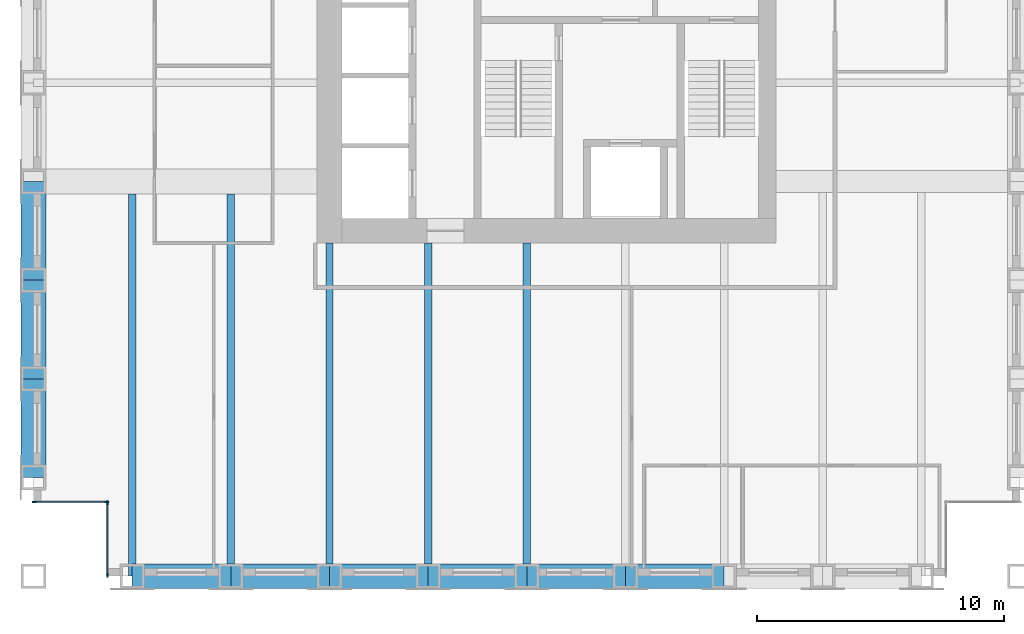
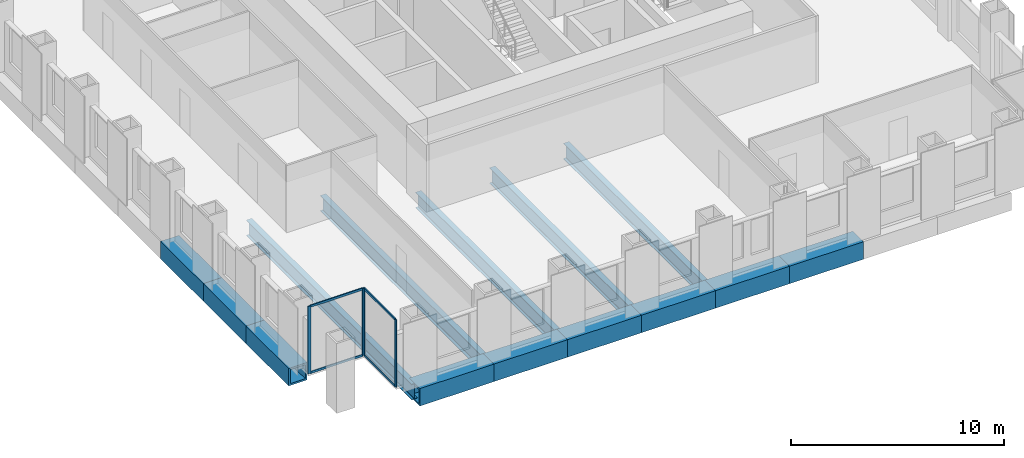
# One storey, part 2 of 11: 14 beams, 8 members, 2 elements without a shape of their own.
"""IFC4 building model written with IfcOpenShell, lengths in metres."""

from ifc_helpers import new_model, si_unit, direction, frame, origin, origin_2d, place, context, subcontext, project, spatial, rectangle, hollow_rectangle, i_section, extrude, material, material_profile, profile_set, type_object, element, aggregate, save


model = new_model("IFC4")

# Units and contexts
model_context = context("Model", 3, precision=1e-05, world=origin(), true_north=direction((0.0, 1.0)))
body_context = subcontext(model_context, "Body", "Model", "MODEL_VIEW")
ifc_project = project(units=[si_unit("LENGTHUNIT", "METRE"), si_unit("AREAUNIT", "SQUARE_METRE"), si_unit("VOLUMEUNIT", "CUBIC_METRE"), si_unit("PLANEANGLEUNIT", "RADIAN"), si_unit("MASSUNIT", "GRAM", prefix="KILO")], contexts=[model_context])

# Site, building, storey
site_placement = place(None, origin())
site = spatial("IfcSite", under=ifc_project, at=site_placement, CompositionType="ELEMENT")
building_placement = place(site_placement, origin())
building = spatial("IfcBuilding", under=site, at=building_placement, Name="Rimbunsela Tower", CompositionType="ELEMENT")
storey_placement = place(building_placement, frame((0.0, 0.0, 282.199951171875)))
storey = spatial("IfcBuildingStorey", under=building, at=storey_placement, Name="L68", CompositionType="ELEMENT", Elevation=282.199951171875)

# Beams
ifc_material_1 = material(Name="Steel BJ 55 (fy 410 MPa)", Category="steel")
ifc_material_profile_1 = material_profile(ifc_material_1, hollow_rectangle(XDim=1.0, YDim=1.0, WallThickness=0.10009765625, at=origin_2d()), Name="BOX 1000x1000x100")
ifc_profile_set_1 = profile_set([ifc_material_profile_1], Name="Steel BJ 55 (fy 410 MPa)")
beam_type_1 = type_object("IfcBeamType", Name="Beam BOX 1000x1000x100", PredefinedType="BEAM", material=ifc_profile_set_1)
for number, where, z_axis, x_axis, name in (
    (1, (6.0, 8.0, -0.64990234375), (0.0, 1.0, 0.0), (-1.0, 0.0, 0.0), "Beam B3 L68"),
    (2, (6.0, 12.0, -0.64990234375), (0.0, 1.0, 0.0), (-1.0, 0.0, 0.0), "Beam B3 L68"),
    (3, (6.0, 16.0, -0.64990234375), (0.0, 1.0, 0.0), (-1.0, 0.0, 0.0), "Beam B3 L68"),
    (4, (10.0, 4.0, -0.64990234375), (1.0, 0.0, 0.0), (0.0, 1.0, 0.0), "Beam B3 L68"),
    (5, (14.0, 4.0, -0.64990234375), (1.0, 0.0, 0.0), (0.0, 1.0, 0.0), "Beam B3 L68"),
    (6, (18.0, 4.0, -0.64990234375), (1.0, 0.0, 0.0), (0.0, 1.0, 0.0), "Beam B3 L68"),
    (7, (22.0, 4.0, -0.64990234375), (1.0, 0.0, 0.0), (0.0, 1.0, 0.0), "Beam B3 L68"),
    (8, (26.0, 4.0, -0.64990234375), (1.0, 0.0, 0.0), (0.0, 1.0, 0.0), "Beam B3 L68"),
    (9, (30.0, 4.0, -0.64990234375), (1.0, 0.0, 0.0), (0.0, 1.0, 0.0), "Beam B3 L68"),
):
    element("IfcBeam", number, at=place(storey_placement, frame(where, z_axis=z_axis, x_axis=x_axis)), inside=storey, type_object=beam_type_1, Name=name, PredefinedType="BEAM", context=body_context, shape_type="SweptSolid", body=[
        extrude(hollow_rectangle(XDim=1.0, YDim=1.0, WallThickness=0.10009765625, at=origin_2d()), origin(), (0.0, 0.0, 1.0), 4.0),
    ])
ifc_material_2 = material(Name="Steel BJ 55 (fy 410 MPa)", Category="steel")
ifc_material_profile_2 = material_profile(ifc_material_2, i_section(OverallWidth=0.300048828125, OverallDepth=0.89990234375, WebThickness=0.01611328125, FlangeThickness=0.028076171875, FilletRadius=0.028076171875, at=origin_2d()), Name="H 900x300x16x28")
ifc_profile_set_2 = profile_set([ifc_material_profile_2], Name="Steel BJ 55 (fy 410 MPa)")
beam_type_2 = type_object("IfcBeamType", Name="Beam H 900x300x16x28", PredefinedType="BEAM", material=ifc_profile_set_2)
for number, where, z_axis, x_axis, name in (
    (10, (10.0, 4.0, -0.599853515625), (0.0, 1.0, 0.0), (-1.0, 0.0, 0.0), "Beam B2 L68"),
    (11, (14.0, 4.0, -0.599853515625), (0.0, 1.0, 0.0), (-1.0, 0.0, 0.0), "Beam B2 L68"),
):
    element("IfcBeam", number, at=place(storey_placement, frame(where, z_axis=z_axis, x_axis=x_axis)), inside=storey, type_object=beam_type_2, Name=name, PredefinedType="BEAM", context=body_context, shape_type="SweptSolid", body=[
        extrude(i_section(OverallWidth=0.300048828125, OverallDepth=0.89990234375, WebThickness=0.01611328125, FlangeThickness=0.028076171875, FilletRadius=0.028076171875, at=origin_2d()), origin(), (0.0, 0.0, 1.0), 15.5),
    ])
for number, where, z_axis, x_axis, name in (
    (12, (18.0, 4.0, -0.599853515625), (0.0, 1.0, 0.0), (-1.0, 0.0, 0.0), "Beam B2 L68"),
    (13, (22.0, 4.0, -0.599853515625), (0.0, 1.0, 0.0), (-1.0, 0.0, 0.0), "Beam B2 L68"),
    (14, (26.0, 4.0, -0.599853515625), (0.0, 1.0, 0.0), (-1.0, 0.0, 0.0), "Beam B2 L68"),
):
    element("IfcBeam", number, at=place(storey_placement, frame(where, z_axis=z_axis, x_axis=x_axis)), inside=storey, type_object=beam_type_2, Name=name, PredefinedType="BEAM", context=body_context, shape_type="SweptSolid", body=[
        extrude(i_section(OverallWidth=0.300048828125, OverallDepth=0.89990234375, WebThickness=0.01611328125, FlangeThickness=0.028076171875, FilletRadius=0.028076171875, at=origin_2d()), origin(), (0.0, 0.0, 1.0), 13.5),
    ])

# Curtain wall, members
ifc_material_3 = material(Name="Aluminium curtain wall", Category="aluminium")
curtain_wall_type = type_object("IfcCurtainWallType", Name="Corner glazing", PredefinedType="USERDEFINED", material=ifc_material_3)
curtain_wall_1_placement = place(storey_placement, origin())
curtain_wall_1 = element("IfcCurtainWall", 15, at=curtain_wall_1_placement, inside=storey, type_object=curtain_wall_type, Name="Corner glazing L68", ObjectType="CORNER GLAZING", PredefinedType="USERDEFINED")
ifc_material_4 = material(Name="Aluminium mullion", Category="aluminium")
ifc_material_profile_3 = material_profile(ifc_material_4, rectangle(XDim=0.06005859375, YDim=0.159912109375, at=origin_2d()), Name="Mullion 60x160")
ifc_profile_set_3 = profile_set([ifc_material_profile_3], Name="Aluminium mullion")
member_type_1 = type_object("IfcMemberType", Name="Curtain wall mullion 60x160", PredefinedType="MULLION", material=ifc_profile_set_3)
member_1_placement = place(storey_placement, frame((6.030029296875, 7.0, 0.0), z_axis=(0.0, 0.0, 1.0), x_axis=(0.0, 1.0, 0.0)))
member_1 = element("IfcMember", 16, at=member_1_placement, type_object=member_type_1, Name="CW5 mullion 1", PredefinedType="MULLION", context=body_context, shape_type="SweptSolid", body=[
    extrude(rectangle(XDim=0.06005859375, YDim=0.159912109375, at=origin_2d()), origin(), (0.0, 0.0, 1.0), 3.85009765625),
])
member_2_placement = place(storey_placement, frame((8.969970703125, 7.0, 0.0), z_axis=(0.0, 0.0, 1.0), x_axis=(0.0, 1.0, 0.0)))
member_2 = element("IfcMember", 17, at=member_2_placement, type_object=member_type_1, Name="CW5 mullion 2", PredefinedType="MULLION", context=body_context, shape_type="SweptSolid", body=[
    extrude(rectangle(XDim=0.06005859375, YDim=0.159912109375, at=origin_2d()), origin(), (0.0, 0.0, 1.0), 3.85009765625),
])

curtain_wall_2_placement = place(storey_placement, origin())
curtain_wall_2 = element("IfcCurtainWall", 18, at=curtain_wall_2_placement, inside=storey, type_object=curtain_wall_type, Name="Corner glazing L68", ObjectType="CORNER GLAZING", PredefinedType="USERDEFINED")
member_3_placement = place(storey_placement, frame((9.0, 6.969970703125, 0.0), z_axis=(0.0, 0.0, 1.0), x_axis=(1.0, 0.0, 0.0)))
member_3 = element("IfcMember", 19, at=member_3_placement, type_object=member_type_1, Name="CW5 mullion 1", PredefinedType="MULLION", context=body_context, shape_type="SweptSolid", body=[
    extrude(rectangle(XDim=0.06005859375, YDim=0.159912109375, at=origin_2d()), origin(), (0.0, 0.0, 1.0), 3.85009765625),
])
member_4_placement = place(storey_placement, frame((9.0, 4.030029296875, 0.0), z_axis=(0.0, 0.0, 1.0), x_axis=(1.0, 0.0, 0.0)))
member_4 = element("IfcMember", 20, at=member_4_placement, type_object=member_type_1, Name="CW5 mullion 2", PredefinedType="MULLION", context=body_context, shape_type="SweptSolid", body=[
    extrude(rectangle(XDim=0.06005859375, YDim=0.159912109375, at=origin_2d()), origin(), (0.0, 0.0, 1.0), 3.85009765625),
])

# Member
ifc_material_5 = material(Name="Aluminium transom", Category="aluminium")
ifc_material_profile_4 = material_profile(ifc_material_5, rectangle(XDim=0.06005859375, YDim=0.1201171875, at=origin_2d()), Name="Transom 60x120")
ifc_profile_set_4 = profile_set([ifc_material_profile_4], Name="Aluminium transom")
member_type_2 = type_object("IfcMemberType", Name="Curtain wall transom 60x120", PredefinedType="USERDEFINED", material=ifc_profile_set_4)
member_5_placement = place(storey_placement, frame((6.06005859375, 7.0, 0.030029296875), z_axis=(1.0, 0.0, 0.0), x_axis=(0.0, 1.0, 0.0)))
member_5 = element("IfcMember", 21, at=member_5_placement, type_object=member_type_2, Name="CW5 transom 1.1", ObjectType="TRANSOM", PredefinedType="USERDEFINED", context=body_context, shape_type="SweptSolid", body=[
    extrude(rectangle(XDim=0.06005859375, YDim=0.1201171875, at=origin_2d()), origin(), (0.0, 0.0, 1.0), 2.8798828125),
])

member_6_placement = place(storey_placement, frame((6.06005859375, 7.0, 3.820068359375), z_axis=(1.0, 0.0, 0.0), x_axis=(0.0, 1.0, 0.0)))
member_6 = element("IfcMember", 22, at=member_6_placement, type_object=member_type_2, Name="CW5 transom 1.2", ObjectType="TRANSOM", PredefinedType="USERDEFINED", context=body_context, shape_type="SweptSolid", body=[
    extrude(rectangle(XDim=0.06005859375, YDim=0.1201171875, at=origin_2d()), origin(), (0.0, 0.0, 1.0), 2.8798828125),
])

aggregate(curtain_wall_1, [member_1, member_2, member_5, member_6])

member_7_placement = place(storey_placement, frame((9.0, 6.93994140625, 0.030029296875), z_axis=(0.0, -1.0, 0.0), x_axis=(1.0, 0.0, 0.0)))
member_7 = element("IfcMember", 23, at=member_7_placement, type_object=member_type_2, Name="CW5 transom 1.1", ObjectType="TRANSOM", PredefinedType="USERDEFINED", context=body_context, shape_type="SweptSolid", body=[
    extrude(rectangle(XDim=0.06005859375, YDim=0.1201171875, at=origin_2d()), origin(), (0.0, 0.0, 1.0), 2.8798828125),
])

member_8_placement = place(storey_placement, frame((9.0, 6.93994140625, 3.820068359375), z_axis=(0.0, -1.0, 0.0), x_axis=(1.0, 0.0, 0.0)))
member_8 = element("IfcMember", 24, at=member_8_placement, type_object=member_type_2, Name="CW5 transom 1.2", ObjectType="TRANSOM", PredefinedType="USERDEFINED", context=body_context, shape_type="SweptSolid", body=[
    extrude(rectangle(XDim=0.06005859375, YDim=0.1201171875, at=origin_2d()), origin(), (0.0, 0.0, 1.0), 2.8798828125),
])

aggregate(curtain_wall_2, [member_3, member_4, member_7, member_8])

save(model, "model.ifc")
